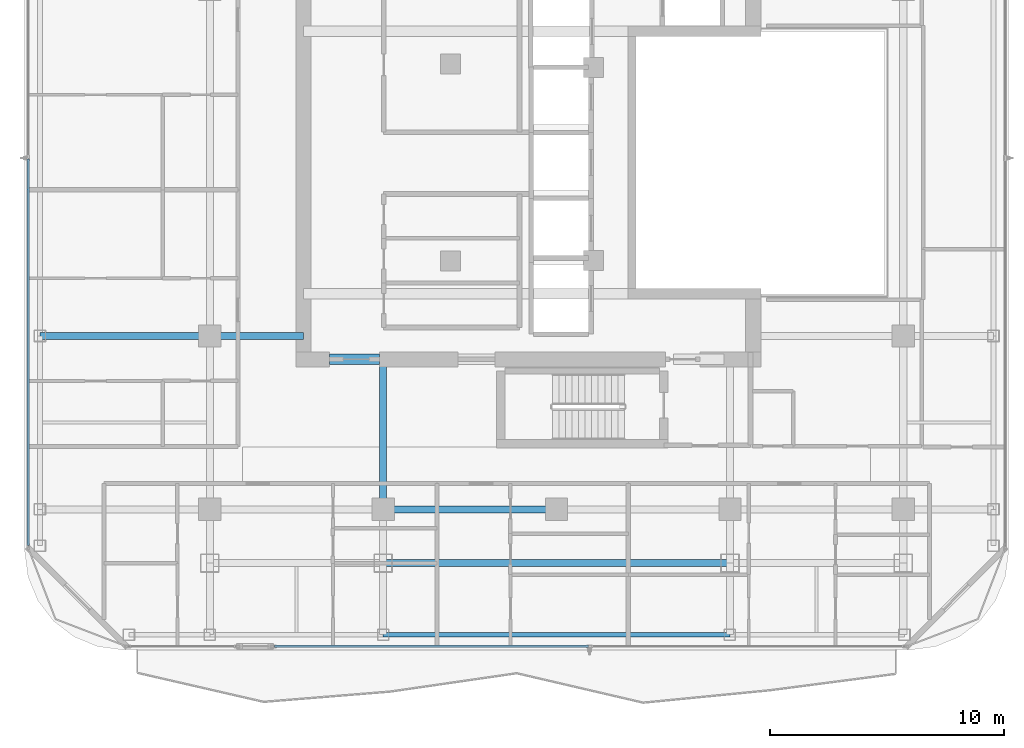
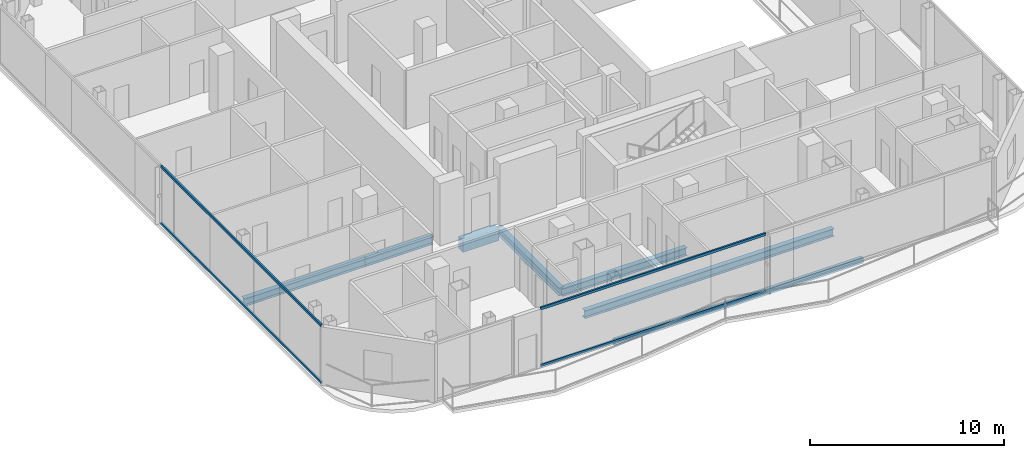
# One storey, part 3 of 26: 7 beams, 4 members, 2 elements without a shape of their own.
"""IFC4 building model written with IfcOpenShell, lengths in metres."""

from ifc_helpers import new_model, si_unit, direction, frame, origin, origin_2d, place, context, subcontext, project, spatial, rectangle, hollow_rectangle, i_section, extrude, material, layer, layer_set, material_profile, profile_set, type_object, element, aggregate, save


model = new_model("IFC4")

# Units and contexts
model_context = context("Model", 3, precision=1e-05, world=origin(), true_north=direction((0.0, 1.0)))
body_context = subcontext(model_context, "Body", "Model", "MODEL_VIEW")
ifc_project = project(units=[si_unit("LENGTHUNIT", "METRE"), si_unit("AREAUNIT", "SQUARE_METRE"), si_unit("VOLUMEUNIT", "CUBIC_METRE"), si_unit("PLANEANGLEUNIT", "RADIAN"), si_unit("MASSUNIT", "GRAM", prefix="KILO")], contexts=[model_context])

# Site, building, storey
site_placement = place(None, origin())
site = spatial("IfcSite", under=ifc_project, at=site_placement, CompositionType="ELEMENT")
building_placement = place(site_placement, origin())
building = spatial("IfcBuilding", under=site, at=building_placement, Name="Khorvyn Point Tower", CompositionType="ELEMENT")
storey_placement = place(building_placement, frame((0.0, 0.0, 289.800048828125)))
storey = spatial("IfcBuildingStorey", under=building, at=storey_placement, Name="L71", CompositionType="ELEMENT", Elevation=289.800048828125)

# Curtain wall, members
ifc_material_1 = material(Name="Anodised aluminium 6063-T6 and laminated Low-E glass", Category="aluminium")
ifc_layer = layer(ifc_material_1, 0.18994140625)
ifc_layer_set = layer_set([ifc_layer], Name="Stick-Built High-Wind Curtain Wall CW-SYS-04")
curtain_wall_type = type_object("IfcCurtainWallType", Name="Stick-Built High-Wind Curtain Wall CW-SYS-04", PredefinedType="NOTDEFINED", material=ifc_layer_set)
curtain_wall_1_placement = place(storey_placement, origin())
curtain_wall_1 = element("IfcCurtainWall", 1, at=curtain_wall_1_placement, inside=storey, type_object=curtain_wall_type, Name="Curtain Wall", PredefinedType="NOTDEFINED")
ifc_material_2 = material(Name="Anodised aluminium 6063-T6", Category="aluminium")
ifc_material_profile_1 = material_profile(ifc_material_2, hollow_rectangle(XDim=0.10009765625, YDim=0.159912109375, WallThickness=0.00439453125, at=origin_2d()))
ifc_profile_set_1 = profile_set([ifc_material_profile_1], Name="Anodised aluminium 6063-T6 ALU-TRN-100x160")
member_type = type_object("IfcMemberType", Name="Anodised Aluminium 6063-T6 Transom ALU-TRN-100x160", PredefinedType="USERDEFINED", material=ifc_profile_set_1)
member_1_placement = place(storey_placement, frame((1.35498046875, -20.64990234375, 0.050048828125), z_axis=(-1.0, 0.0, 0.0), x_axis=(0.0, -1.0, 0.0)))
member_1 = element("IfcMember", 2, at=member_1_placement, type_object=member_type, Name="Transom", ObjectType="TRANSOM", PredefinedType="USERDEFINED", context=body_context, shape_type="SweptSolid", body=[
    extrude(hollow_rectangle(XDim=0.10009765625, YDim=0.159912109375, WallThickness=0.00439453125, at=origin_2d()), origin(), (0.0, 0.0, 1.0), 13.39501953125),
])
member_2_placement = place(storey_placement, frame((1.35498046875, -20.64990234375, 3.6298828125), z_axis=(-1.0, 0.0, 0.0), x_axis=(0.0, -1.0, 0.0)))
member_2 = element("IfcMember", 3, at=member_2_placement, type_object=member_type, Name="Transom", ObjectType="TRANSOM", PredefinedType="USERDEFINED", context=body_context, shape_type="SweptSolid", body=[
    extrude(hollow_rectangle(XDim=0.10009765625, YDim=0.159912109375, WallThickness=0.00439453125, at=origin_2d()), origin(), (0.0, 0.0, 1.0), 13.39501953125),
])
aggregate(curtain_wall_1, [member_1, member_2])

curtain_wall_2_placement = place(storey_placement, origin())
curtain_wall_2 = element("IfcCurtainWall", 4, at=curtain_wall_2_placement, inside=storey, type_object=curtain_wall_type, Name="Curtain Wall", PredefinedType="NOTDEFINED")
member_3_placement = place(storey_placement, frame((-22.550048828125, -16.35009765625, 0.050048828125), z_axis=(0.0, 1.0, 0.0), x_axis=(-1.0, 0.0, 0.0)))
member_3 = element("IfcMember", 5, at=member_3_placement, type_object=member_type, Name="Transom", ObjectType="TRANSOM", PredefinedType="USERDEFINED", context=body_context, shape_type="SweptSolid", body=[
    extrude(hollow_rectangle(XDim=0.10009765625, YDim=0.159912109375, WallThickness=0.00439453125, at=origin_2d()), origin(), (0.0, 0.0, 1.0), 16.5),
])
member_4_placement = place(storey_placement, frame((-22.550048828125, -16.35009765625, 3.6298828125), z_axis=(0.0, 1.0, 0.0), x_axis=(-1.0, 0.0, 0.0)))
member_4 = element("IfcMember", 6, at=member_4_placement, type_object=member_type, Name="Transom", ObjectType="TRANSOM", PredefinedType="USERDEFINED", context=body_context, shape_type="SweptSolid", body=[
    extrude(hollow_rectangle(XDim=0.10009765625, YDim=0.159912109375, WallThickness=0.00439453125, at=origin_2d()), origin(), (0.0, 0.0, 1.0), 16.5),
])
aggregate(curtain_wall_2, [member_3, member_4])

# Beams
ifc_material_3 = material(Name="Concrete C40/50", Category="concrete")
ifc_material_profile_2 = material_profile(ifc_material_3, rectangle(XDim=0.449951171875, YDim=0.75, at=origin_2d()))
ifc_profile_set_2 = profile_set([ifc_material_profile_2], Name="Concrete C40/50 RC450x750")
beam_type_1 = type_object("IfcBeamType", Name="Concrete C40/50 Beam RC450x750", PredefinedType="BEAM", material=ifc_profile_set_2)
beam_1_placement = place(storey_placement, frame((-9.699951171875, -8.39990234375, -0.594970703125), z_axis=(1.0, 0.0, 0.0), x_axis=(0.0, 1.0, 0.0)))
element("IfcBeam", 7, at=beam_1_placement, inside=storey, type_object=beam_type_1, Name="L71 Core Southwest Portal Coupling Beam", PredefinedType="BEAM", context=body_context, shape_type="SweptSolid", body=[
    extrude(rectangle(XDim=0.449951171875, YDim=0.75, at=origin_2d()), origin(), (0.0, 0.0, 1.0), 2.14990234375),
])
ifc_material_4 = material(Name="Steel S355", Category="steel")
ifc_material_profile_3 = material_profile(ifc_material_4, i_section(OverallWidth=0.300048828125, OverallDepth=0.488037109375, WebThickness=0.010986328125, FlangeThickness=0.01806640625, at=origin_2d()))
ifc_profile_set_3 = profile_set([ifc_material_profile_3], Name="Steel S355 H488x300x11x18")
beam_type_2 = type_object("IfcBeamType", Name="Steel S355 Spandrel H488x300x11x18", PredefinedType="SPANDREL", material=ifc_profile_set_3)
beam_2_placement = place(storey_placement, frame((-7.39990234375, -14.800048828125, -0.464111328125), z_axis=(1.0, 0.0, 0.0), x_axis=(0.0, 1.0, 0.0)))
element("IfcBeam", 8, at=beam_2_placement, inside=storey, type_object=beam_type_2, Name="Beam", PredefinedType="SPANDREL", context=body_context, shape_type="SweptSolid", body=[
    extrude(i_section(OverallWidth=0.300048828125, OverallDepth=0.488037109375, WebThickness=0.010986328125, FlangeThickness=0.01806640625, at=origin_2d()), origin(), (0.0, 0.0, 1.0), 7.39990234375),
])
beam_3_placement = place(storey_placement, frame((-22.050048828125, -7.39990234375, -0.464111328125), z_axis=(1.0, 0.0, 0.0), x_axis=(0.0, 1.0, 0.0)))
element("IfcBeam", 9, at=beam_3_placement, inside=storey, type_object=beam_type_2, Name="Beam", PredefinedType="SPANDREL", context=body_context, shape_type="SweptSolid", body=[
    extrude(i_section(OverallWidth=0.300048828125, OverallDepth=0.488037109375, WebThickness=0.010986328125, FlangeThickness=0.01806640625, at=origin_2d()), origin(), (0.0, 0.0, 1.0), 7.25),
])
beam_4_placement = place(storey_placement, frame((-14.800048828125, -7.39990234375, -0.464111328125), z_axis=(1.0, 0.0, 0.0), x_axis=(0.0, 1.0, 0.0)))
element("IfcBeam", 10, at=beam_4_placement, inside=storey, type_object=beam_type_2, Name="Beam", PredefinedType="SPANDREL", context=body_context, shape_type="SweptSolid", body=[
    extrude(i_section(OverallWidth=0.300048828125, OverallDepth=0.488037109375, WebThickness=0.010986328125, FlangeThickness=0.01806640625, at=origin_2d()), origin(), (0.0, 0.0, 1.0), 4.0),
])
beam_5_placement = place(storey_placement, frame((-7.39990234375, -17.10009765625, -0.464111328125), z_axis=(1.0, 0.0, 0.0), x_axis=(0.0, 1.0, 0.0)))
element("IfcBeam", 11, at=beam_5_placement, inside=storey, type_object=beam_type_2, Name="Beam", PredefinedType="SPANDREL", context=body_context, shape_type="SweptSolid", body=[
    extrude(i_section(OverallWidth=0.300048828125, OverallDepth=0.488037109375, WebThickness=0.010986328125, FlangeThickness=0.01806640625, at=origin_2d()), origin(), (0.0, 0.0, 1.0), 14.7998046875),
])
beam_6_placement = place(storey_placement, frame((-7.39990234375, -14.800048828125, -0.464111328125), z_axis=(0.0, 1.0, 0.0), x_axis=(-1.0, 0.0, 0.0)))
element("IfcBeam", 12, at=beam_6_placement, inside=storey, type_object=beam_type_2, Name="Beam", PredefinedType="SPANDREL", context=body_context, shape_type="SweptSolid", body=[
    extrude(i_section(OverallWidth=0.300048828125, OverallDepth=0.488037109375, WebThickness=0.010986328125, FlangeThickness=0.01806640625, at=origin_2d()), origin(), (0.0, 0.0, 1.0), 6.400146484375),
])
ifc_material_profile_4 = material_profile(ifc_material_4, hollow_rectangle(XDim=0.199951171875, YDim=0.35009765625, WallThickness=0.013916015625, at=origin_2d()))
ifc_profile_set_4 = profile_set([ifc_material_profile_4], Name="Steel S355 RHS350x200x14")
beam_type_3 = type_object("IfcBeamType", Name="Steel S355 Spandrel RHS350x200x14", PredefinedType="SPANDREL", material=ifc_profile_set_4)
beam_7_placement = place(storey_placement, frame((-7.39990234375, -20.14990234375, -0.39501953125), z_axis=(1.0, 0.0, 0.0), x_axis=(0.0, 1.0, 0.0)))
element("IfcBeam", 13, at=beam_7_placement, inside=storey, type_object=beam_type_3, Name="Beam", PredefinedType="SPANDREL", context=body_context, shape_type="SweptSolid", body=[
    extrude(hollow_rectangle(XDim=0.199951171875, YDim=0.35009765625, WallThickness=0.013916015625, at=origin_2d()), origin(), (0.0, 0.0, 1.0), 14.7998046875),
])

save(model, "model.ifc")
